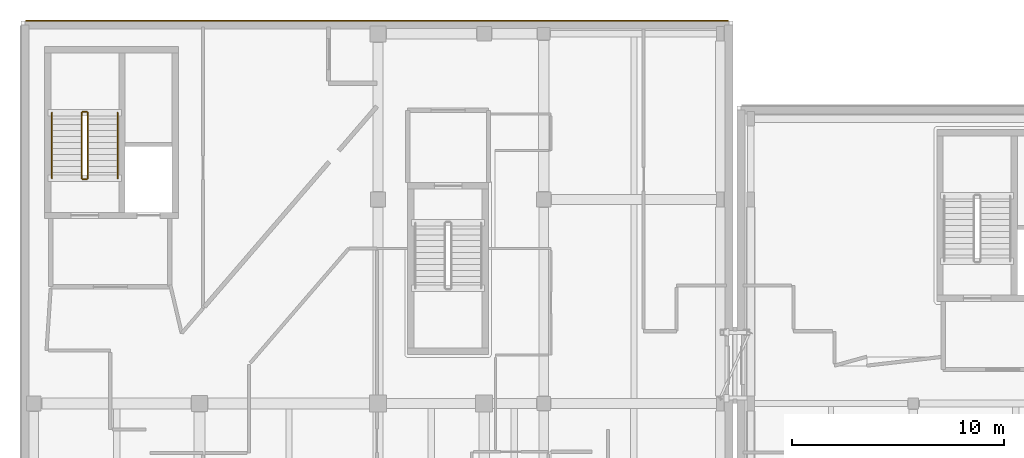
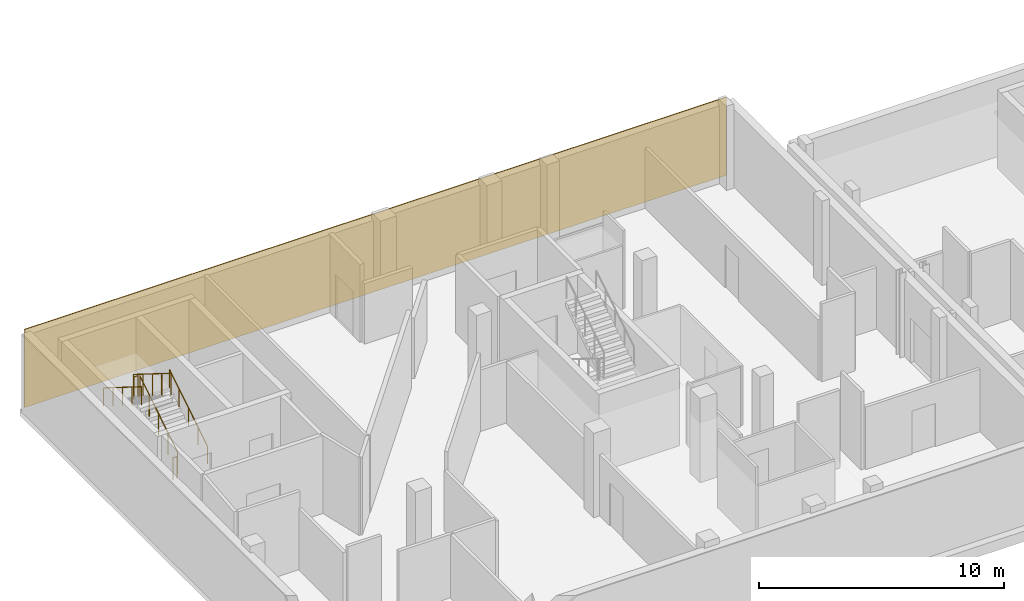
# One storey, part 67 of 73: 6 railings, 1 covering.
"""IFC4 building model written with IfcOpenShell, lengths in metres."""

from ifc_helpers import new_model, si_unit, direction, frame, origin, origin_2d, place, context, subcontext, project, spatial, rectangle, circle, extrude, material, layer, layer_set, type_object, element, save


model = new_model("IFC4")

# Units and contexts
model_context = context("Model", 3, precision=1e-05, world=origin(), true_north=direction((0.0, 1.0)))
body_context = subcontext(model_context, "Body", "Model", "MODEL_VIEW")
ifc_project = project(units=[si_unit("LENGTHUNIT", "METRE"), si_unit("AREAUNIT", "SQUARE_METRE"), si_unit("VOLUMEUNIT", "CUBIC_METRE"), si_unit("PLANEANGLEUNIT", "RADIAN"), si_unit("MASSUNIT", "GRAM", prefix="KILO")], contexts=[model_context])

# Site, building, storey
site_placement = place(None, origin())
site = spatial("IfcSite", under=ifc_project, at=site_placement, CompositionType="ELEMENT")
building_placement = place(site_placement, origin())
building = spatial("IfcBuilding", under=site, at=building_placement, Name="Mzevani Central Library", CompositionType="ELEMENT")
storey_placement = place(building_placement, frame((0.0, 0.0, 9.60009765625)))
storey = spatial("IfcBuildingStorey", under=building, at=storey_placement, Name="L02", CompositionType="ELEMENT", Elevation=9.60009765625)

# Railings
ifc_material_1 = material(Name="Brushed stainless steel rail", Category="steel")
railing_type_1 = type_object("IfcRailingType", Name="Interior Gallery and Stair Guard 1100", PredefinedType="BALUSTRADE", material=ifc_material_1)
railing_1_placement = place(storey_placement, frame((15.550048828125, 110.60009765625, 0.1748046875)))
element("IfcRailing", 1, at=railing_1_placement, inside=storey, type_object=railing_type_1, Name="L02 ST-03 stair guard 1", PredefinedType="BALUSTRADE", context=body_context, shape_type="SweptSolid", body=[
    extrude(circle(Radius=0.02392578125, at=origin_2d()), frame((0.0, 0.0, 1.076171875), z_axis=(0.0, 0.847979421464, 0.530029150871), x_axis=(-1.0, 0.0, 0.0)), (0.0, 0.0, 1.0), 3.632080078125),
    extrude(circle(Radius=0.02099609375, at=origin_2d()), origin(), (0.0, 0.0, 1.0), 1.052001953125),
    extrude(circle(Radius=0.02099609375, at=origin_2d()), frame((0.0, 0.77001953125, 0.481201171875)), (0.0, 0.0, 1.0), 1.052001953125),
    extrude(circle(Radius=0.02099609375, at=origin_2d()), frame((0.0, 1.5400390625, 0.96240234375)), (0.0, 0.0, 1.0), 1.052001953125),
    extrude(circle(Radius=0.02099609375, at=origin_2d()), frame((0.0, 2.309814453125, 1.44384765625)), (0.0, 0.0, 1.0), 1.052001953125),
    extrude(circle(Radius=0.02099609375, at=origin_2d()), frame((0.0, 3.079833984375, 1.925048828125)), (0.0, 0.0, 1.0), 1.052001953125),
])
railing_2_placement = place(storey_placement, frame((15.5, 113.72998046875, 2.099853515625)))
element("IfcRailing", 2, at=railing_2_placement, inside=storey, type_object=railing_type_1, Name="L02 ST-03 stair guard 2", PredefinedType="BALUSTRADE", context=body_context, shape_type="SweptSolid", body=[
    extrude(circle(Radius=0.02392578125, at=origin_2d()), frame((0.0, 0.0, 1.076171875), z_axis=(-1.0, 0.0, 0.0), x_axis=(0.0, -1.0, 0.0)), (0.0, 0.0, 1.0), 0.199951171875),
    extrude(circle(Radius=0.02099609375, at=origin_2d()), origin(), (0.0, 0.0, 1.0), 1.052001953125),
    extrude(circle(Radius=0.02099609375, at=origin_2d()), frame((-0.199951171875, 0.0, 0.0)), (0.0, 0.0, 1.0), 1.052001953125),
])
railing_3_placement = place(storey_placement, frame((15.25, 113.679931640625, 2.27490234375)))
element("IfcRailing", 3, at=railing_3_placement, inside=storey, type_object=railing_type_1, Name="L02 ST-03 stair guard 3", PredefinedType="BALUSTRADE", context=body_context, shape_type="SweptSolid", body=[
    extrude(circle(Radius=0.02392578125, at=origin_2d()), frame((0.0, 0.0, 1.076171875), z_axis=(0.0, -0.847979421464, 0.530029150871), x_axis=(1.0, 0.0, 0.0)), (0.0, 0.0, 1.0), 3.632080078125),
    extrude(circle(Radius=0.02099609375, at=origin_2d()), origin(), (0.0, 0.0, 1.0), 1.052001953125),
    extrude(circle(Radius=0.02099609375, at=origin_2d()), frame((0.0, -0.77001953125, 0.481201171875)), (0.0, 0.0, 1.0), 1.052001953125),
    extrude(circle(Radius=0.02099609375, at=origin_2d()), frame((0.0, -1.5400390625, 0.96240234375)), (0.0, 0.0, 1.0), 1.052001953125),
    extrude(circle(Radius=0.02099609375, at=origin_2d()), frame((0.0, -2.309814453125, 1.44384765625)), (0.0, 0.0, 1.0), 1.052001953125),
    extrude(circle(Radius=0.02099609375, at=origin_2d()), frame((0.0, -3.079833984375, 1.925048828125)), (0.0, 0.0, 1.0), 1.052001953125),
])
railing_4_placement = place(storey_placement, frame((15.5, 110.550048828125, 0.0)))
element("IfcRailing", 4, at=railing_4_placement, inside=storey, type_object=railing_type_1, Name="L02 ST-03 stair guard 4", PredefinedType="BALUSTRADE", context=body_context, shape_type="SweptSolid", body=[
    extrude(circle(Radius=0.02392578125, at=origin_2d()), frame((0.0, 0.0, 1.076171875), z_axis=(-1.0, 0.0, 0.0), x_axis=(0.0, -1.0, 0.0)), (0.0, 0.0, 1.0), 0.199951171875),
    extrude(circle(Radius=0.02099609375, at=origin_2d()), origin(), (0.0, 0.0, 1.0), 1.052001953125),
    extrude(circle(Radius=0.02099609375, at=origin_2d()), frame((-0.199951171875, 0.0, 0.0)), (0.0, 0.0, 1.0), 1.052001953125),
])

# Covering
ifc_material_2 = material(Name="Limestone ashlar cladding", Category="masonry")
ifc_layer = layer(ifc_material_2, 0.050048828125, Name="Limestone Ashlar Spandrel Cladding")
ifc_layer_set = layer_set([ifc_layer], Name="Limestone ashlar cladding")
covering_type = type_object("IfcCoveringType", Name="Limestone Ashlar Spandrel Cladding", PredefinedType="CLADDING", material=ifc_layer_set)
covering_placement = place(storey_placement, frame((29.14990234375, 118.02392578125, 0.0), z_axis=(0.0, 0.0, 1.0), x_axis=(1.0, 0.0, 0.0)))
element("IfcCovering", 5, at=covering_placement, inside=storey, type_object=covering_type, Name="L02 Warm-White Facade Cladding (EW4-V2-L02-0026)", PredefinedType="CLADDING", context=body_context, shape_type="SweptSolid", body=[
    extrude(rectangle(XDim=33.080078125, YDim=0.050048828125, at=origin_2d()), origin(), (0.0, 0.0, 1.0), 3.8798828125),
])

# Railings
railing_type_2 = type_object("IfcRailingType", Name="Stair Wall Handrail 920", PredefinedType="HANDRAIL", material=ifc_material_1)
railing_5_placement = place(storey_placement, frame((16.949951171875, 110.60009765625, 0.1748046875)))
element("IfcRailing", 6, at=railing_5_placement, inside=storey, type_object=railing_type_2, Name="L02 ST-03 stair handrail 1", PredefinedType="HANDRAIL", context=body_context, shape_type="SweptSolid", body=[
    extrude(circle(Radius=0.02392578125, at=origin_2d()), frame((0.0, 0.0, 0.89599609375), z_axis=(0.0, 0.847979421464, 0.530029150871), x_axis=(-1.0, 0.0, 0.0)), (0.0, 0.0, 1.0), 3.632080078125),
    extrude(circle(Radius=0.02099609375, at=origin_2d()), origin(), (0.0, 0.0, 1.0), 0.871826171875),
    extrude(circle(Radius=0.02099609375, at=origin_2d()), frame((0.0, 0.77001953125, 0.481201171875)), (0.0, 0.0, 1.0), 0.871826171875),
    extrude(circle(Radius=0.02099609375, at=origin_2d()), frame((0.0, 1.5400390625, 0.96240234375)), (0.0, 0.0, 1.0), 0.871826171875),
    extrude(circle(Radius=0.02099609375, at=origin_2d()), frame((0.0, 2.309814453125, 1.44384765625)), (0.0, 0.0, 1.0), 0.871826171875),
    extrude(circle(Radius=0.02099609375, at=origin_2d()), frame((0.0, 3.079833984375, 1.925048828125)), (0.0, 0.0, 1.0), 0.871826171875),
])
railing_6_placement = place(storey_placement, frame((13.85009765625, 113.679931640625, 2.27490234375)))
element("IfcRailing", 7, at=railing_6_placement, inside=storey, type_object=railing_type_2, Name="L02 ST-03 stair handrail 2", PredefinedType="HANDRAIL", context=body_context, shape_type="SweptSolid", body=[
    extrude(circle(Radius=0.02392578125, at=origin_2d()), frame((0.0, 0.0, 0.89599609375), z_axis=(0.0, -0.847979421464, 0.530029150871), x_axis=(1.0, 0.0, 0.0)), (0.0, 0.0, 1.0), 3.632080078125),
    extrude(circle(Radius=0.02099609375, at=origin_2d()), origin(), (0.0, 0.0, 1.0), 0.871826171875),
    extrude(circle(Radius=0.02099609375, at=origin_2d()), frame((0.0, -0.77001953125, 0.481201171875)), (0.0, 0.0, 1.0), 0.871826171875),
    extrude(circle(Radius=0.02099609375, at=origin_2d()), frame((0.0, -1.5400390625, 0.96240234375)), (0.0, 0.0, 1.0), 0.871826171875),
    extrude(circle(Radius=0.02099609375, at=origin_2d()), frame((0.0, -2.309814453125, 1.44384765625)), (0.0, 0.0, 1.0), 0.871826171875),
    extrude(circle(Radius=0.02099609375, at=origin_2d()), frame((0.0, -3.079833984375, 1.925048828125)), (0.0, 0.0, 1.0), 0.871826171875),
])

save(model, "model.ifc")
